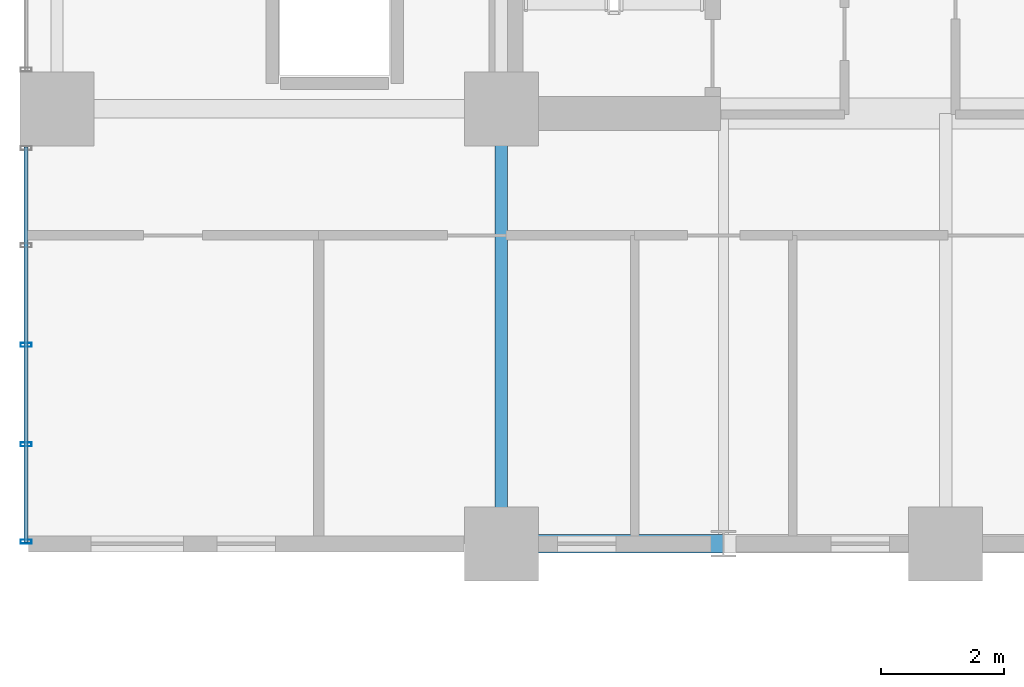
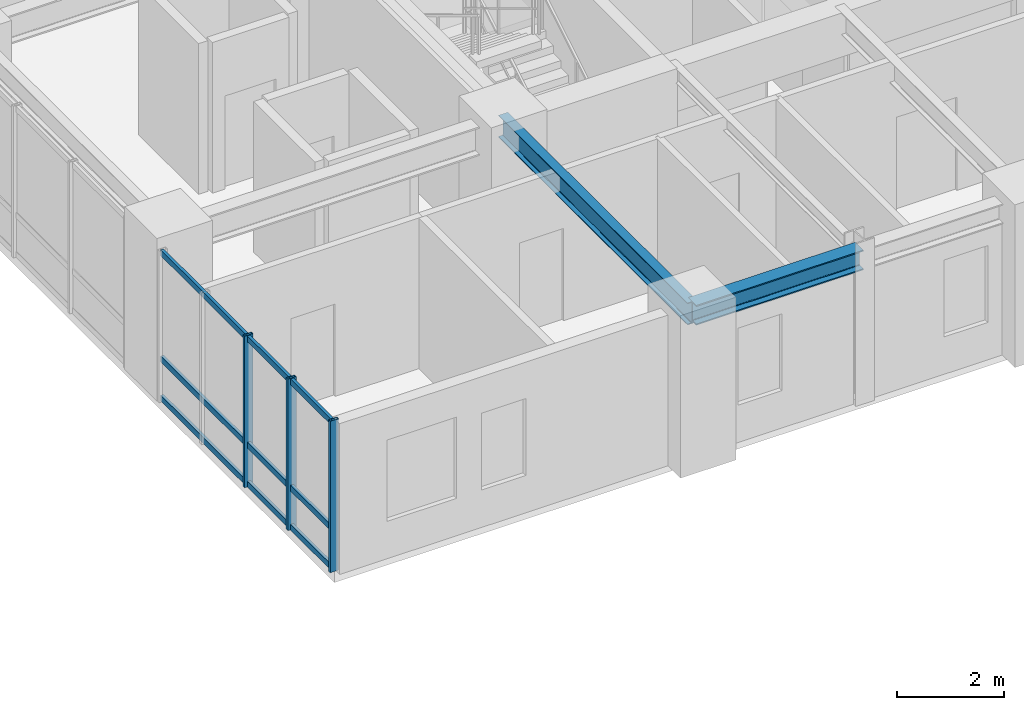
# One storey, part 2 of 18: 6 members, 2 beams, 1 element without a shape of its own.
"""IFC4 building model written with IfcOpenShell, lengths in metres."""

from ifc_helpers import new_model, si_unit, direction, frame, origin, origin_2d, place, context, subcontext, project, spatial, hollow_rectangle, i_section, extrude, source, transform, mapped, material, layer, layer_set, material_profile, profile_set, type_object, element, aggregate, save


model = new_model("IFC4")

# Units and contexts
model_context = context("Model", 3, precision=1e-05, world=origin(), true_north=direction((0.0, 1.0)))
body_context = subcontext(model_context, "Body", "Model", "MODEL_VIEW")
ifc_project = project(units=[si_unit("LENGTHUNIT", "METRE"), si_unit("AREAUNIT", "SQUARE_METRE"), si_unit("VOLUMEUNIT", "CUBIC_METRE"), si_unit("PLANEANGLEUNIT", "RADIAN"), si_unit("MASSUNIT", "GRAM", prefix="KILO")], contexts=[model_context])

# Site, building, storey
site_placement = place(None, origin())
site = spatial("IfcSite", under=ifc_project, at=site_placement, CompositionType="ELEMENT")
building_placement = place(site_placement, origin())
building = spatial("IfcBuilding", under=site, at=building_placement, Name="Kaliganga Portal Commons", CompositionType="ELEMENT")
storey_placement = place(building_placement, frame((0.0, 0.0, 123.0)))
storey = spatial("IfcBuildingStorey", under=building, at=storey_placement, Name="L31", CompositionType="ELEMENT", Elevation=123.0)

# Beams
ifc_material_1 = material(Name="Structural steel S355J2", Category="steel")
ifc_material_profile_1 = material_profile(ifc_material_1, i_section(OverallWidth=0.199951171875, OverallDepth=0.5, WebThickness=0.01025390625, FlangeThickness=0.01611328125, FilletRadius=0.02099609375, at=origin_2d()), Name="IPE 500")
ifc_profile_set_1 = profile_set([ifc_material_profile_1], Name="Structural steel S355J2 wide-flange")
beam_type_1 = type_object("IfcBeamType", Name="BM-FLR-500", PredefinedType="BEAM", material=ifc_profile_set_1)
shared_shape_1 = source(origin(), body_context, "Body", "SweptSolid", [
    extrude(i_section(OverallWidth=0.199951171875, OverallDepth=0.5, WebThickness=0.01025390625, FlangeThickness=0.01611328125, FilletRadius=0.02099609375, at=origin_2d()), origin(), (0.0, 0.0, 1.0), 7.0498046875),
])
beam_1_placement = place(storey_placement, frame((14.39990234375, 21.60009765625, 3.199951171875), z_axis=(0.0, 1.0, 0.0), x_axis=(-1.0, 0.0, 0.0)))
element("IfcBeam", 1, at=beam_1_placement, inside=storey, type_object=beam_type_1, Name="BM G L31 AS144", PredefinedType="BEAM", context=body_context, shape_type="MappedRepresentation", body=[
    mapped(shared_shape_1, transform((0.0, 0.0, 0.0), x_axis=(1.0, 0.0, 0.0), y_axis=(0.0, 1.0, 0.0), z_axis=(0.0, 0.0, 1.0), scale=1.0)),
])
ifc_material_profile_2 = material_profile(ifc_material_1, i_section(OverallWidth=0.300048828125, OverallDepth=0.449951171875, WebThickness=0.013916015625, FlangeThickness=0.02587890625, FilletRadius=0.027099609375, at=origin_2d()), Name="HE 450 B")
ifc_profile_set_2 = profile_set([ifc_material_profile_2], Name="Structural steel S355J2 wide-flange")
beam_type_2 = type_object("IfcBeamType", Name="BM-SPAND-450", PredefinedType="SPANDREL", material=ifc_profile_set_2)
shared_shape_2 = source(origin(), body_context, "Body", "SweptSolid", [
    extrude(i_section(OverallWidth=0.300048828125, OverallDepth=0.449951171875, WebThickness=0.013916015625, FlangeThickness=0.02587890625, FilletRadius=0.027099609375, at=origin_2d()), origin(), (0.0, 0.0, 1.0), 3.60009765625),
])
beam_2_placement = place(storey_placement, frame((14.39990234375, 21.60009765625, 3.22509765625), z_axis=(1.0, 0.0, 0.0), x_axis=(0.0, 1.0, 0.0)))
element("IfcBeam", 2, at=beam_2_placement, inside=storey, type_object=beam_type_2, Name="BM SP L31 AS 1", PredefinedType="SPANDREL", context=body_context, shape_type="MappedRepresentation", body=[
    mapped(shared_shape_2, transform((0.0, 0.0, 0.0), x_axis=(1.0, 0.0, 0.0), y_axis=(0.0, 1.0, 0.0), z_axis=(0.0, 0.0, 1.0), scale=1.0)),
])

# Curtain wall, members
ifc_material_2 = material(Name="Anodized Aluminium and Laminated Low-E Glass", Category="aluminium")
ifc_layer = layer(ifc_material_2, 0.199951171875)
ifc_layer_set = layer_set([ifc_layer], Name="Anodized Aluminium and Laminated Low-E Glass")
curtain_wall_type = type_object("IfcCurtainWallType", Name="CW-SYS-02", PredefinedType="NOTDEFINED", material=ifc_layer_set)
curtain_wall_placement = place(storey_placement, origin())
curtain_wall = element("IfcCurtainWall", 3, at=curtain_wall_placement, inside=storey, type_object=curtain_wall_type, Name="CW 02 L31 P1E09S3", PredefinedType="NOTDEFINED")
ifc_material_3 = material(Name="Dark Bronze Anodized Aluminium", Category="aluminium")
ifc_material_profile_3 = material_profile(ifc_material_3, hollow_rectangle(XDim=0.06494140625, YDim=0.179931640625, WallThickness=0.00390625, at=origin_2d()), Name="ALU MULL 65x180x4")
ifc_profile_set_3 = profile_set([ifc_material_profile_3], Name="Dark Bronze Anodized Aluminium")
member_type_1 = type_object("IfcMemberType", Name="CW-MUL-180", PredefinedType="MULLION", material=ifc_profile_set_3)
shared_shape_3 = source(origin(), body_context, "Body", "SweptSolid", [
    extrude(hollow_rectangle(XDim=0.06494140625, YDim=0.179931640625, WallThickness=0.00390625, at=origin_2d()), origin(), (0.0, 0.0, 1.0), 3.449951171875),
])
member_1_placement = place(storey_placement, frame((6.699951171875, 24.824462890625, 0.0), z_axis=(0.0, 0.0, 1.0), x_axis=(0.0, -1.0, 0.0)))
member_1 = element("IfcMember", 4, at=member_1_placement, type_object=member_type_1, Name="CW:02:L31:P1E09S3 Mullion 02", PredefinedType="MULLION", context=body_context, shape_type="MappedRepresentation", body=[
    mapped(shared_shape_3, transform((0.0, 0.0, 0.0), x_axis=(1.0, 0.0, 0.0), y_axis=(0.0, 1.0, 0.0), z_axis=(0.0, 0.0, 1.0), scale=1.0)),
])
member_2_placement = place(storey_placement, frame((6.699951171875, 23.21240234375, 0.0), z_axis=(0.0, 0.0, 1.0), x_axis=(0.0, -1.0, 0.0)))
member_2 = element("IfcMember", 5, at=member_2_placement, type_object=member_type_1, Name="CW:02:L31:P1E09S3 Mullion 03", PredefinedType="MULLION", context=body_context, shape_type="MappedRepresentation", body=[
    mapped(shared_shape_3, transform((0.0, 0.0, 0.0), x_axis=(1.0, 0.0, 0.0), y_axis=(0.0, 1.0, 0.0), z_axis=(0.0, 0.0, 1.0), scale=1.0)),
])
member_3_placement = place(storey_placement, frame((6.699951171875, 21.635009765625, 0.0), z_axis=(0.0, 0.0, 1.0), x_axis=(0.0, -1.0, 0.0)))
member_3 = element("IfcMember", 6, at=member_3_placement, type_object=member_type_1, Name="CW:02:L31:P1E09S3 Mullion 04", PredefinedType="MULLION", context=body_context, shape_type="MappedRepresentation", body=[
    mapped(shared_shape_3, transform((0.0, 0.0, 0.0), x_axis=(1.0, 0.0, 0.0), y_axis=(0.0, 1.0, 0.0), z_axis=(0.0, 0.0, 1.0), scale=1.0)),
])
ifc_material_profile_4 = material_profile(ifc_material_3, hollow_rectangle(XDim=0.06494140625, YDim=0.135009765625, WallThickness=0.00341796875, at=origin_2d()), Name="ALU TRAN 65x135x3.5")
ifc_profile_set_4 = profile_set([ifc_material_profile_4], Name="Dark Bronze Anodized Aluminium")
member_type_2 = type_object("IfcMemberType", Name="CW-TRN-135", PredefinedType="USERDEFINED", material=ifc_profile_set_4)
shared_shape_4 = source(origin(), body_context, "Body", "SweptSolid", [
    extrude(hollow_rectangle(XDim=0.06494140625, YDim=0.135009765625, WallThickness=0.00341796875, at=origin_2d()), origin(), (0.0, 0.0, 1.0), 6.408935546875),
])
member_4_placement = place(storey_placement, frame((6.699951171875, 28.029052734375, 0.06005859375), z_axis=(0.0, -1.0, 0.0), x_axis=(1.0, 0.0, 0.0)))
member_4 = element("IfcMember", 7, at=member_4_placement, type_object=member_type_2, Name="CW:02:L31:P1E09S3 Transom 1", ObjectType="TRANSOM", PredefinedType="USERDEFINED", context=body_context, shape_type="MappedRepresentation", body=[
    mapped(shared_shape_4, transform((0.0, 0.0, 0.0), x_axis=(1.0, 0.0, 0.0), y_axis=(0.0, 1.0, 0.0), z_axis=(0.0, 0.0, 1.0), scale=1.0)),
])
member_5_placement = place(storey_placement, frame((6.699951171875, 28.029052734375, 0.949951171875), z_axis=(0.0, -1.0, 0.0), x_axis=(1.0, 0.0, 0.0)))
member_5 = element("IfcMember", 8, at=member_5_placement, type_object=member_type_2, Name="CW:02:L31:P1E09S3 Transom 2", ObjectType="TRANSOM", PredefinedType="USERDEFINED", context=body_context, shape_type="MappedRepresentation", body=[
    mapped(shared_shape_4, transform((0.0, 0.0, 0.0), x_axis=(1.0, 0.0, 0.0), y_axis=(0.0, 1.0, 0.0), z_axis=(0.0, 0.0, 1.0), scale=1.0)),
])
member_6_placement = place(storey_placement, frame((6.699951171875, 28.029052734375, 3.3701171875), z_axis=(0.0, -1.0, 0.0), x_axis=(1.0, 0.0, 0.0)))
member_6 = element("IfcMember", 9, at=member_6_placement, type_object=member_type_2, Name="CW:02:L31:P1E09S3 Transom 3", ObjectType="TRANSOM", PredefinedType="USERDEFINED", context=body_context, shape_type="MappedRepresentation", body=[
    mapped(shared_shape_4, transform((0.0, 0.0, 0.0), x_axis=(1.0, 0.0, 0.0), y_axis=(0.0, 1.0, 0.0), z_axis=(0.0, 0.0, 1.0), scale=1.0)),
])
aggregate(curtain_wall, [member_1, member_2, member_3, member_4, member_5, member_6])

save(model, "model.ifc")
